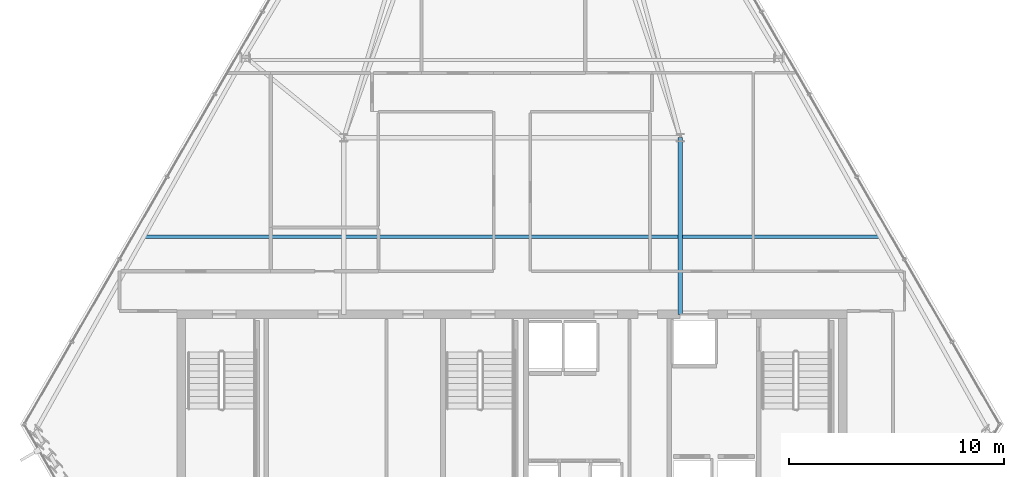
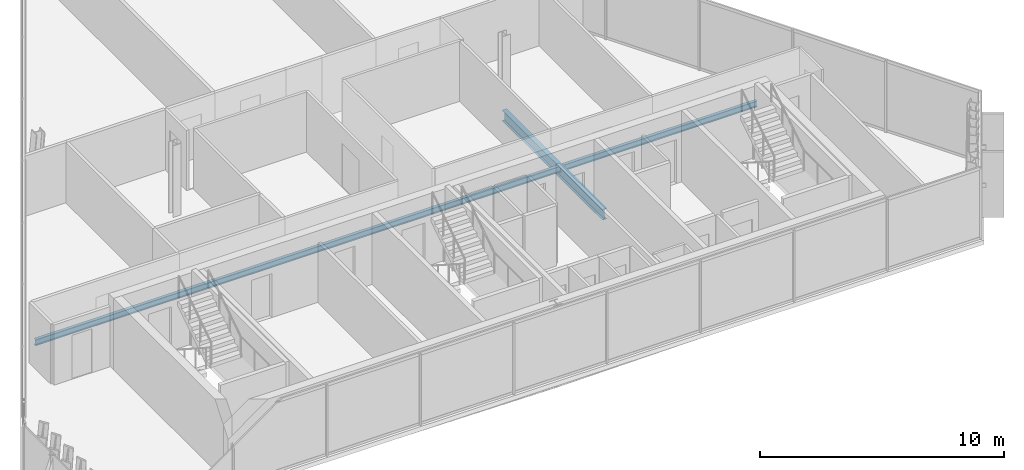
# One storey, part 11 of 34: 2 beams.
"""IFC4 building model written with IfcOpenShell, lengths in metres."""

from ifc_helpers import new_model, si_unit, direction, frame, origin, origin_2d, place, context, subcontext, project, spatial, i_section, extrude, material, material_profile, profile_set, type_object, element, save


model = new_model("IFC4")

# Units and contexts
model_context = context("Model", 3, precision=1e-05, world=origin(), true_north=direction((0.0, 1.0)))
body_context = subcontext(model_context, "Body", "Model", "MODEL_VIEW")
ifc_project = project(units=[si_unit("LENGTHUNIT", "METRE"), si_unit("AREAUNIT", "SQUARE_METRE"), si_unit("VOLUMEUNIT", "CUBIC_METRE"), si_unit("PLANEANGLEUNIT", "RADIAN"), si_unit("MASSUNIT", "GRAM", prefix="KILO")], contexts=[model_context])

# Site, building, storey
site_placement = place(None, origin())
site = spatial("IfcSite", under=ifc_project, at=site_placement, CompositionType="ELEMENT")
building_placement = place(site_placement, origin())
building = spatial("IfcBuilding", under=site, at=building_placement, Name="Ndaravel Arena Tower", CompositionType="ELEMENT")
storey_placement = place(building_placement, frame((0.0, 0.0, 267.39990234375)))
storey = spatial("IfcBuildingStorey", under=building, at=storey_placement, Name="L65", CompositionType="ELEMENT", Elevation=267.39990234375)

# Beams
ifc_material_1 = material(Name="Steel S355", Category="steel")
ifc_material_profile_1 = material_profile(ifc_material_1, i_section(OverallWidth=0.210693359375, OverallDepth=0.53955078125, WebThickness=0.01171875, FlangeThickness=0.018798828125, FilletRadius=0.0126953125, at=origin_2d()), Name="UB 533x210x109")
ifc_profile_set_1 = profile_set([ifc_material_profile_1], Name="Steel S355")
beam_type_1 = type_object("IfcBeamType", Name="BM-GIRD-UB533", PredefinedType="BEAM", material=ifc_profile_set_1)
beam_1_placement = place(storey_placement, frame((49.800048828125, 14.97998046875, -0.489501953125), z_axis=(0.0, 1.0, 0.0), x_axis=(-1.0, 0.0, 0.0)))
element("IfcBeam", 1, at=beam_1_placement, inside=storey, type_object=beam_type_1, Name="L65 Spine Link Girder SLG-02", PredefinedType="BEAM", context=body_context, shape_type="SweptSolid", body=[
    extrude(i_section(OverallWidth=0.210693359375, OverallDepth=0.53955078125, WebThickness=0.01171875, FlangeThickness=0.018798828125, FilletRadius=0.0126953125, at=origin_2d()), origin(), (0.0, 0.0, 1.0), 8.219970703125),
])
ifc_material_2 = material(Name="Steel S355", Category="steel")
ifc_material_profile_2 = material_profile(ifc_material_2, i_section(OverallWidth=0.14990234375, OverallDepth=0.300048828125, WebThickness=0.007080078125, FlangeThickness=0.0107421875, FilletRadius=0.014892578125, at=origin_2d()), Name="IPE 300")
ifc_profile_set_2 = profile_set([ifc_material_profile_2], Name="Steel S355")
beam_type_2 = type_object("IfcBeamType", Name="BM-JOIST-IPE300", PredefinedType="JOIST", material=ifc_profile_set_2)
beam_2_placement = place(storey_placement, frame((24.921142578125, 18.60009765625, -0.369873046875), z_axis=(1.0, 0.0, 0.0), x_axis=(0.0, 1.0, 0.0)))
element("IfcBeam", 2, at=beam_2_placement, inside=storey, type_object=beam_type_2, Name="L65 Composite Floor Joist FJ-01", PredefinedType="JOIST", context=body_context, shape_type="SweptSolid", body=[
    extrude(i_section(OverallWidth=0.14990234375, OverallDepth=0.300048828125, WebThickness=0.007080078125, FlangeThickness=0.0107421875, FilletRadius=0.014892578125, at=origin_2d()), origin(), (0.0, 0.0, 1.0), 34.15771484375),
])

save(model, "model.ifc")
